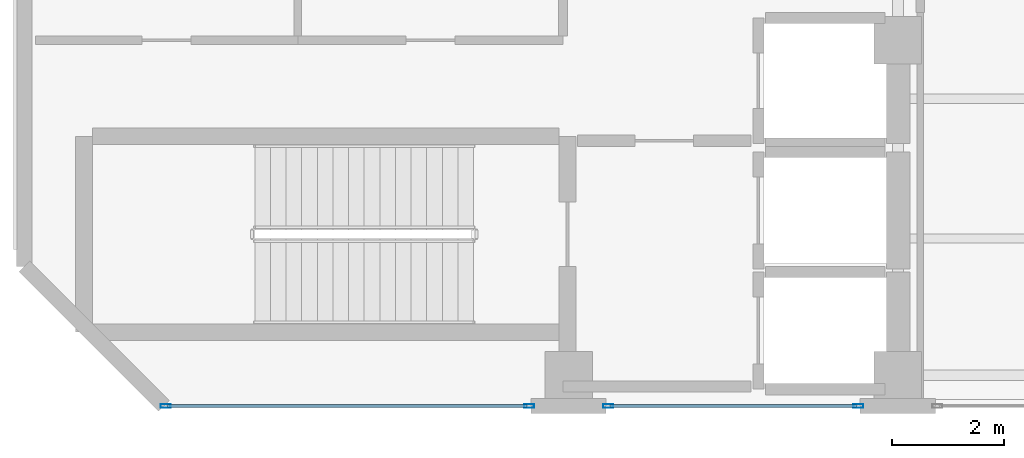
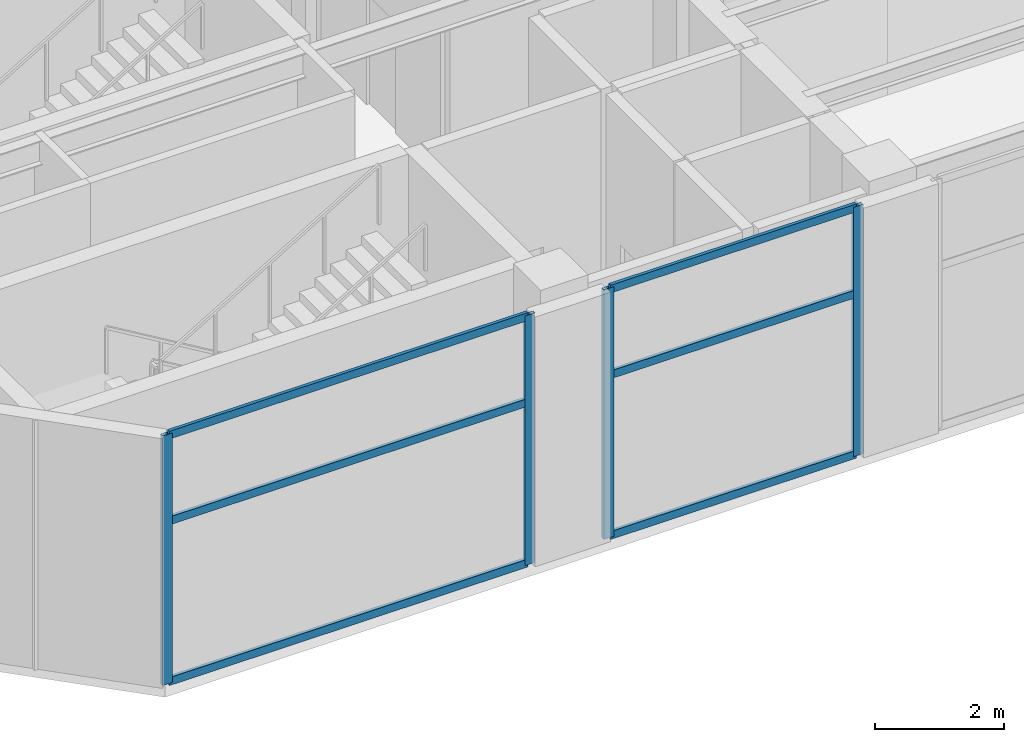
# One storey, part 2 of 16: 10 members, 2 elements without a shape of their own.
"""IFC4 building model written with IfcOpenShell, lengths in metres."""

import ifcopenshell
import ifcopenshell.guid

model = None  # the IFC model being written
_history = None  # IfcOwnerHistory: only IFC2X3 demands one
_inside = {}  # id of a spatial element -> (the spatial element, [elements in it])
_under = {}  # id of a project, library or spatial element -> (it, [spatial elements below it])
_declared = {}  # id of a project -> (the project, [libraries it declares])
_typed = {}  # id of a type object -> (the type object, [elements of that type])
_made_of = {}  # id of a material, layer set ... -> (it, [elements and type objects made of it])


def new_model(schema):
    """Start an empty IFC model of exactly this schema.

    Asked for "IFC4X3", IfcOpenShell would pick the latest addendum, in which some entities
    have other attributes; the version numbers below select the first issue.
    IFC2X3 requires an IfcOwnerHistory on every rooted entity: one is made here for all.
    """
    global model, _history
    if schema == "IFC4X3":
        model = ifcopenshell.file(schema_version=(4, 3, 0, 0))
    else:
        model = ifcopenshell.file(schema=schema)
    _inside.clear()
    _under.clear()
    _declared.clear()
    _typed.clear()
    _made_of.clear()
    _history = None
    if model.schema == "IFC2X3":
        org = make("IfcOrganization", Name="unknown")
        user = make(
            "IfcPersonAndOrganization",
            ThePerson=make("IfcPerson", FamilyName="unknown"),
            TheOrganization=org,
        )
        app = make(
            "IfcApplication",
            ApplicationDeveloper=org,
            Version="unknown",
            ApplicationFullName="unknown",
            ApplicationIdentifier="unknown",
        )
        _history = make(
            "IfcOwnerHistory",
            OwningUser=user,
            OwningApplication=app,
            ChangeAction="ADDED",
            CreationDate=0,
        )
    return model


def make(cls, **values):
    """One entity of the class cls with the attributes given. An attribute that is None is left unset."""
    return model.create_entity(
        cls, **{name: value for name, value in values.items() if value is not None}
    )


def rooted(cls, **values):
    """An entity with a GlobalId (a new one), such as an element, a storey or a relation."""
    return make(cls, GlobalId=ifcopenshell.guid.new(), OwnerHistory=_history, **values)


def si_unit(unit_type, name, prefix=None):
    """IfcSIUnit, for example si_unit("LENGTHUNIT", "METRE", prefix="MILLI")."""
    return make("IfcSIUnit", UnitType=unit_type, Prefix=prefix, Name=name)


def assignment(units):
    """IfcUnitAssignment: the units of a project."""
    return None if units is None else make("IfcUnitAssignment", Units=units)


def point(xyz):
    """IfcCartesianPoint."""
    return None if xyz is None else make("IfcCartesianPoint", Coordinates=xyz)


def direction(xyz):
    """IfcDirection."""
    return None if xyz is None else make("IfcDirection", DirectionRatios=xyz)


def frame(location, z_axis=None, x_axis=None):
    """IfcAxis2Placement3D, a coordinate frame: its origin and axes. An axis left out is left unset."""
    return make(
        "IfcAxis2Placement3D",
        Location=point(location),
        Axis=direction(z_axis),
        RefDirection=direction(x_axis),
    )


def frame_2d(location, x_axis=None):
    """IfcAxis2Placement2D, a coordinate frame in the plane: its origin and x axis."""
    return make(
        "IfcAxis2Placement2D", Location=point(location), RefDirection=direction(x_axis)
    )


def origin():
    """The frame at (0, 0, 0) with its axes left unset."""
    return frame((0.0, 0.0, 0.0))


def origin_2d():
    """The frame at (0, 0) in the plane with its x axis left unset."""
    return frame_2d((0.0, 0.0))


def place(relative_to, where):
    """IfcLocalPlacement: puts the frame where relative to a parent placement (None: the world)."""
    return make(
        "IfcLocalPlacement", PlacementRelTo=relative_to, RelativePlacement=where
    )


def context(
    kind, dimensions, precision=None, world=None, true_north=None, identifier=None
):
    """IfcGeometricRepresentationContext, for example the 3D "Model" context."""
    return make(
        "IfcGeometricRepresentationContext",
        ContextIdentifier=identifier,
        ContextType=kind,
        CoordinateSpaceDimension=dimensions,
        Precision=precision,
        WorldCoordinateSystem=world,
        TrueNorth=true_north,
    )


def subcontext(parent, identifier, kind, view, scale=None):
    """IfcGeometricRepresentationSubContext, for example "Body" below "Model"."""
    return make(
        "IfcGeometricRepresentationSubContext",
        ContextIdentifier=identifier,
        ContextType=kind,
        ParentContext=parent,
        TargetScale=scale,
        TargetView=view,
    )


def project(units=None, contexts=None):
    """IfcProject with its units and contexts."""
    return rooted(
        "IfcProject",
        Name="project",
        RepresentationContexts=contexts,
        UnitsInContext=assignment(units),
    )


def spatial(cls, under=None, at=None, **own):
    """A site, building, storey or space (cls), placed at a placement, below another one or the project."""
    s = rooted(cls, ObjectPlacement=at, **own)
    if under is not None:
        _under.setdefault(under.id(), (under, []))[1].append(s)
    return s


def profile(cls, at=None, kind="AREA", **sizes):
    """A parametric profile (cls). Its sizes go by their IFC names, for example OverallWidth=200.0."""
    return make(cls, ProfileType=kind, Position=at, **sizes)


def hollow_rectangle(**sizes):
    """IfcRectangleHollowProfileDef."""
    return profile("IfcRectangleHollowProfileDef", **sizes)


def extrude(swept, where, along, depth):
    """IfcExtrudedAreaSolid: the profile swept, set in the frame where, extruded along a direction by depth."""
    return make(
        "IfcExtrudedAreaSolid",
        SweptArea=swept,
        Position=where,
        ExtrudedDirection=direction(along),
        Depth=depth,
    )


def shape(context_of_items, identifier, shape_type, items):
    """IfcShapeRepresentation: the items that make up one representation, for example the "Body"."""
    return make(
        "IfcShapeRepresentation",
        ContextOfItems=context_of_items,
        RepresentationIdentifier=identifier,
        RepresentationType=shape_type,
        Items=items,
    )


def material(Name=None, Category=None):
    """IfcMaterial."""
    return make("IfcMaterial", Name=Name, Category=Category)


def layer(
    of_material, thickness, ventilated=None, Name=None, Category=None, Priority=None
):
    """IfcMaterialLayer: one layer of a wall or slab, of a material (None: an air gap)."""
    return make(
        "IfcMaterialLayer",
        Material=of_material,
        LayerThickness=thickness,
        IsVentilated=ventilated,
        Name=Name,
        Category=Category,
        Priority=Priority,
    )


def layer_set(layers, Name=None):
    """IfcMaterialLayerSet."""
    return make("IfcMaterialLayerSet", MaterialLayers=layers, LayerSetName=Name)


def material_profile(
    of_material, cross_section, Name=None, Category=None, Priority=None
):
    """IfcMaterialProfile: a cross section and its material."""
    return make(
        "IfcMaterialProfile",
        Name=Name,
        Material=of_material,
        Profile=cross_section,
        Priority=Priority,
        Category=Category,
    )


def profile_set(profiles, Name=None, composite=None):
    """IfcMaterialProfileSet."""
    return make(
        "IfcMaterialProfileSet",
        Name=Name,
        MaterialProfiles=profiles,
        CompositeProfile=composite,
    )


def made_of(thing, what):
    """Note that an element or type object is made of a material, layer set ...; save() writes the relation."""
    if what is not None:
        _made_of.setdefault(what.id(), (what, []))[1].append(thing)
    return thing


def type_object(cls, material=None, **own):
    """A type object (cls), such as IfcWallType, which elements share."""
    return made_of(rooted(cls, **own), material)


def element(
    cls,
    number,
    at=None,
    inside=None,
    cuts=None,
    type_object=None,
    material=None,
    context=None,
    identifier="Body",
    shape_type=None,
    held_by="IfcProductDefinitionShape",
    body=None,
    shapes=None,
    **own,
):
    """One element of the class cls, such as IfcWall. Its Tag is "e" and its number.

    at: its placement. inside: the storey or other place that contains it. cuts: it is an
    opening in that element (IfcRelVoidsElement). A single representation is given by context,
    identifier, shape_type and body (its items); several are given by shapes. held_by: the class
    of the entity that holds the representations. save() writes the other relations.
    """
    e = rooted(cls, Tag="e%d" % number, ObjectPlacement=at, **own)
    if body is not None:
        shapes = [shape(context, identifier, shape_type, body)]
    if shapes is not None:
        e.Representation = make(held_by, Representations=shapes)
    if inside is not None:
        _inside.setdefault(inside.id(), (inside, []))[1].append(e)
    if cuts is not None:
        rooted(
            "IfcRelVoidsElement", RelatingBuildingElement=cuts, RelatedOpeningElement=e
        )
    if type_object is not None:
        _typed.setdefault(type_object.id(), (type_object, []))[1].append(e)
    return made_of(e, material)


def aggregate(whole, parts):
    """IfcRelAggregates: a whole, such as a stair, and the parts it consists of."""
    return rooted("IfcRelAggregates", RelatingObject=whole, RelatedObjects=parts)


def save(model, path):
    """Write the relations noted so far, then the file.

    IfcRelAggregates (storeys below a building ...), IfcRelContainedInSpatialStructure (elements
    in a storey), IfcRelDefinesByType, IfcRelAssociatesMaterial and IfcRelDeclares: one each for
    every whole, place, type object, material and project.
    """
    for whole, parts in _under.values():
        aggregate(whole, parts)
    for where, things in _inside.values():
        rooted(
            "IfcRelContainedInSpatialStructure",
            RelatedElements=things,
            RelatingStructure=where,
        )
    for kind, things in _typed.values():
        rooted("IfcRelDefinesByType", RelatedObjects=things, RelatingType=kind)
    for what, things in _made_of.values():
        rooted("IfcRelAssociatesMaterial", RelatedObjects=things, RelatingMaterial=what)
    for by, libraries in _declared.values():
        rooted("IfcRelDeclares", RelatingContext=by, RelatedDefinitions=libraries)
    model.write(path)


model = new_model("IFC4")

# Units and contexts
model_context = context("Model", 3, precision=1e-05, world=origin(), true_north=direction((0.0, 1.0)))
body_context = subcontext(model_context, "Body", "Model", "MODEL_VIEW")
ifc_project = project(units=[si_unit("LENGTHUNIT", "METRE"), si_unit("AREAUNIT", "SQUARE_METRE"), si_unit("VOLUMEUNIT", "CUBIC_METRE"), si_unit("PLANEANGLEUNIT", "RADIAN"), si_unit("MASSUNIT", "GRAM", prefix="KILO")], contexts=[model_context])

# Site, building, storey
site_placement = place(None, origin())
site = spatial("IfcSite", under=ifc_project, at=site_placement, CompositionType="ELEMENT")
building_placement = place(site_placement, origin())
building = spatial("IfcBuilding", under=site, at=building_placement, Name="Mawjaban Terraces University", CompositionType="ELEMENT")
storey_placement = place(building_placement, frame((0.0, 0.0, 311.699951171875)))
storey = spatial("IfcBuildingStorey", under=building, at=storey_placement, Name="L76", CompositionType="ELEMENT", Elevation=311.699951171875)

# Curtain wall, members
ifc_material_1 = material(Name="Anodised aluminium 6063-T6 and solar-control low-E glass", Category="aluminium")
ifc_layer = layer(ifc_material_1, 0.199951171875)
ifc_layer_set = layer_set([ifc_layer], Name="Anodised aluminium 6063-T6 and solar-control low-E glass")
curtain_wall_type = type_object("IfcCurtainWallType", Name="CWSystem_06_ObservationCrown", PredefinedType="NOTDEFINED", material=ifc_layer_set)
curtain_wall_1_placement = place(storey_placement, origin())
curtain_wall_1 = element("IfcCurtainWall", 1, at=curtain_wall_1_placement, inside=storey, type_object=curtain_wall_type, Name="L76 Curtain Wall CW-06 Run 1.1", PredefinedType="NOTDEFINED")
ifc_material_2 = material(Name="Anodised aluminium 6063-T6", Category="aluminium")
ifc_material_profile_1 = material_profile(ifc_material_2, hollow_rectangle(XDim=0.06494140625, YDim=0.179931640625, WallThickness=0.00390625, at=origin_2d()), Name="ALU180X65X4")
ifc_profile_set_1 = profile_set([ifc_material_profile_1], Name="Anodised aluminium 6063-T6")
member_type_1 = type_object("IfcMemberType", Name="Mullion_CW-06", PredefinedType="MULLION", material=ifc_profile_set_1)
member_1_placement = place(storey_placement, frame((24.532470703125, 0.0, 0.0), z_axis=(0.0, 0.0, 1.0), x_axis=(0.0, 1.0, 0.0)))
member_1 = element("IfcMember", 2, at=member_1_placement, type_object=member_type_1, Name="CW-06 mullion 1", PredefinedType="MULLION", context=body_context, shape_type="SweptSolid", body=[
    extrude(hollow_rectangle(XDim=0.06494140625, YDim=0.179931640625, WallThickness=0.00390625, at=origin_2d()), origin(), (0.0, 0.0, 1.0), 4.739990234375),
])
member_2_placement = place(storey_placement, frame((31.04248046875, 0.0, 0.0), z_axis=(0.0, 0.0, 1.0), x_axis=(0.0, 1.0, 0.0)))
member_2 = element("IfcMember", 3, at=member_2_placement, type_object=member_type_1, Name="CW-06 mullion 2", PredefinedType="MULLION", context=body_context, shape_type="SweptSolid", body=[
    extrude(hollow_rectangle(XDim=0.06494140625, YDim=0.179931640625, WallThickness=0.00390625, at=origin_2d()), origin(), (0.0, 0.0, 1.0), 4.739990234375),
])

curtain_wall_2_placement = place(storey_placement, origin())
curtain_wall_2 = element("IfcCurtainWall", 4, at=curtain_wall_2_placement, inside=storey, type_object=curtain_wall_type, Name="L76 Curtain Wall CW-06 Run 1.2", PredefinedType="NOTDEFINED")
member_3_placement = place(storey_placement, frame((32.45751953125, 0.0, 0.0), z_axis=(0.0, 0.0, 1.0), x_axis=(0.0, 1.0, 0.0)))
member_3 = element("IfcMember", 5, at=member_3_placement, type_object=member_type_1, Name="CW-06 mullion 1", PredefinedType="MULLION", context=body_context, shape_type="SweptSolid", body=[
    extrude(hollow_rectangle(XDim=0.06494140625, YDim=0.179931640625, WallThickness=0.00390625, at=origin_2d()), origin(), (0.0, 0.0, 1.0), 4.739990234375),
])
member_4_placement = place(storey_placement, frame((36.9423828125, 0.0, 0.0), z_axis=(0.0, 0.0, 1.0), x_axis=(0.0, 1.0, 0.0)))
member_4 = element("IfcMember", 6, at=member_4_placement, type_object=member_type_1, Name="CW-06 mullion 2", PredefinedType="MULLION", context=body_context, shape_type="SweptSolid", body=[
    extrude(hollow_rectangle(XDim=0.06494140625, YDim=0.179931640625, WallThickness=0.00390625, at=origin_2d()), origin(), (0.0, 0.0, 1.0), 4.739990234375),
])

# Member
ifc_material_profile_2 = material_profile(ifc_material_2, hollow_rectangle(XDim=0.06005859375, YDim=0.14990234375, WallThickness=0.00390625, at=origin_2d()), Name="ALU150X60X4")
ifc_profile_set_2 = profile_set([ifc_material_profile_2], Name="Anodised aluminium 6063-T6")
member_type_2 = type_object("IfcMemberType", Name="Transom_CW-06", PredefinedType="NOTDEFINED", material=ifc_profile_set_2)
member_5_placement = place(storey_placement, frame((24.56494140625, 0.0, 0.030029296875), z_axis=(1.0, 0.0, 0.0), x_axis=(0.0, 1.0, 0.0)))
member_5 = element("IfcMember", 7, at=member_5_placement, type_object=member_type_2, Name="CW-06 transom 1.1", ObjectType="TRANSOM", PredefinedType="USERDEFINED", context=body_context, shape_type="SweptSolid", body=[
    extrude(hollow_rectangle(XDim=0.06005859375, YDim=0.14990234375, WallThickness=0.00390625, at=origin_2d()), origin(), (0.0, 0.0, 1.0), 6.445068359375),
])

member_6_placement = place(storey_placement, frame((24.56494140625, 0.0, 3.0810546875), z_axis=(1.0, 0.0, 0.0), x_axis=(0.0, 1.0, 0.0)))
member_6 = element("IfcMember", 8, at=member_6_placement, type_object=member_type_2, Name="CW-06 transom 1.2", ObjectType="TRANSOM", PredefinedType="USERDEFINED", context=body_context, shape_type="SweptSolid", body=[
    extrude(hollow_rectangle(XDim=0.06005859375, YDim=0.14990234375, WallThickness=0.00390625, at=origin_2d()), origin(), (0.0, 0.0, 1.0), 6.445068359375),
])

member_7_placement = place(storey_placement, frame((24.56494140625, 0.0, 4.7099609375), z_axis=(1.0, 0.0, 0.0), x_axis=(0.0, 1.0, 0.0)))
member_7 = element("IfcMember", 9, at=member_7_placement, type_object=member_type_2, Name="CW-06 transom 1.3", ObjectType="TRANSOM", PredefinedType="USERDEFINED", context=body_context, shape_type="SweptSolid", body=[
    extrude(hollow_rectangle(XDim=0.06005859375, YDim=0.14990234375, WallThickness=0.00390625, at=origin_2d()), origin(), (0.0, 0.0, 1.0), 6.445068359375),
])

aggregate(curtain_wall_1, [member_1, member_2, member_5, member_6, member_7])

member_8_placement = place(storey_placement, frame((32.489990234375, 0.0, 0.030029296875), z_axis=(1.0, 0.0, 0.0), x_axis=(0.0, 1.0, 0.0)))
member_8 = element("IfcMember", 10, at=member_8_placement, type_object=member_type_2, Name="CW-06 transom 1.1", ObjectType="TRANSOM", PredefinedType="USERDEFINED", context=body_context, shape_type="SweptSolid", body=[
    extrude(hollow_rectangle(XDim=0.06005859375, YDim=0.14990234375, WallThickness=0.00390625, at=origin_2d()), origin(), (0.0, 0.0, 1.0), 4.419921875),
])

member_9_placement = place(storey_placement, frame((32.489990234375, 0.0, 3.0810546875), z_axis=(1.0, 0.0, 0.0), x_axis=(0.0, 1.0, 0.0)))
member_9 = element("IfcMember", 11, at=member_9_placement, type_object=member_type_2, Name="CW-06 transom 1.2", ObjectType="TRANSOM", PredefinedType="USERDEFINED", context=body_context, shape_type="SweptSolid", body=[
    extrude(hollow_rectangle(XDim=0.06005859375, YDim=0.14990234375, WallThickness=0.00390625, at=origin_2d()), origin(), (0.0, 0.0, 1.0), 4.419921875),
])

member_10_placement = place(storey_placement, frame((32.489990234375, 0.0, 4.7099609375), z_axis=(1.0, 0.0, 0.0), x_axis=(0.0, 1.0, 0.0)))
member_10 = element("IfcMember", 12, at=member_10_placement, type_object=member_type_2, Name="CW-06 transom 1.3", ObjectType="TRANSOM", PredefinedType="USERDEFINED", context=body_context, shape_type="SweptSolid", body=[
    extrude(hollow_rectangle(XDim=0.06005859375, YDim=0.14990234375, WallThickness=0.00390625, at=origin_2d()), origin(), (0.0, 0.0, 1.0), 4.419921875),
])

aggregate(curtain_wall_2, [member_3, member_4, member_8, member_9, member_10])

save(model, "model.ifc")
